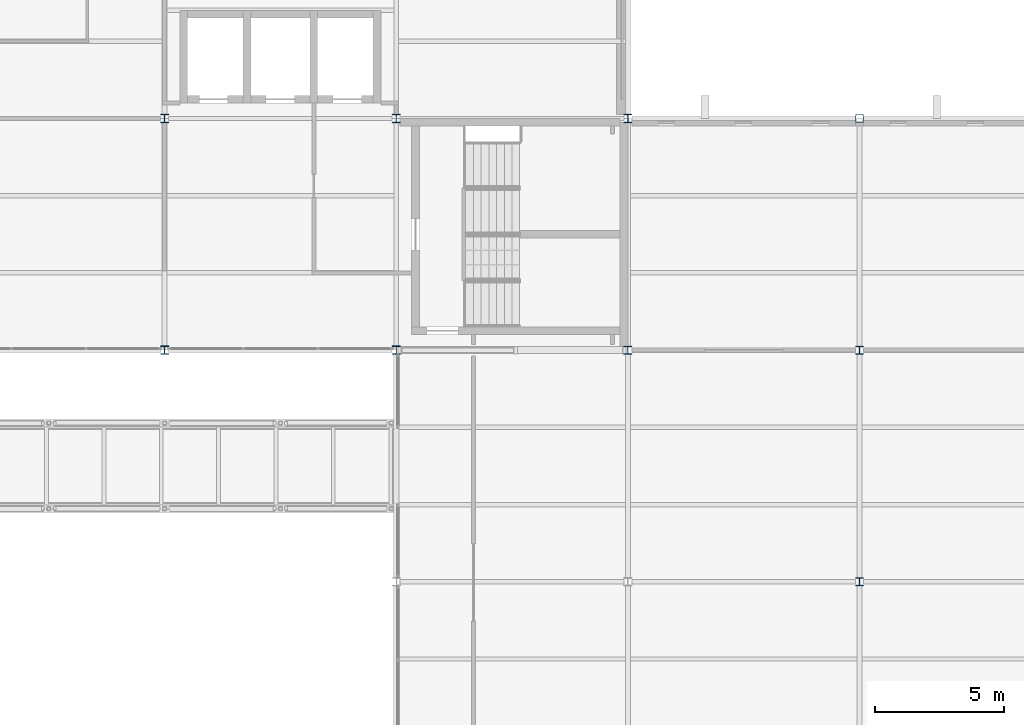
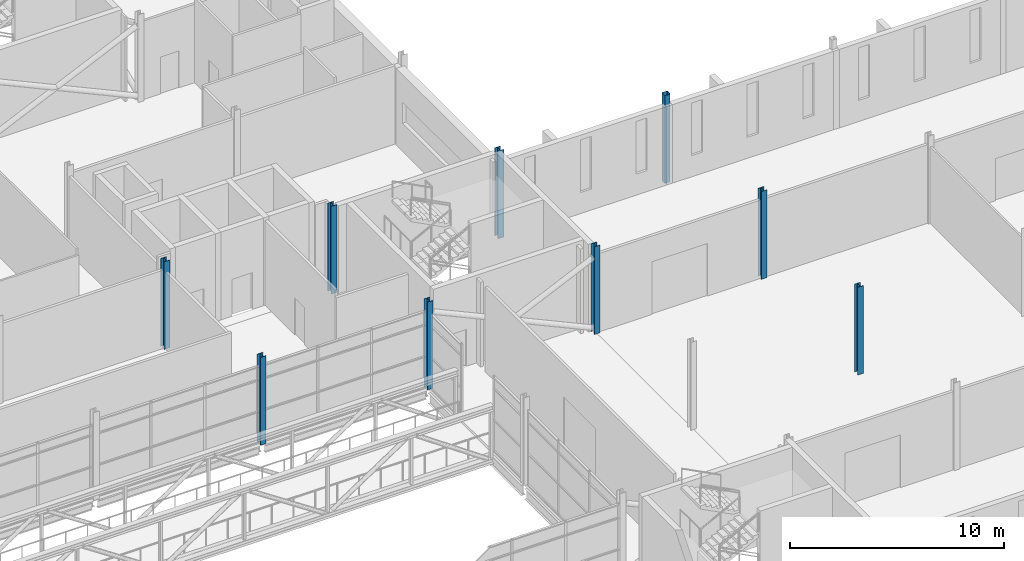
# One storey, part 12 of 115: 9 columns.
"""IFC4 building model written with IfcOpenShell, lengths in metres."""

from ifc_helpers import new_model, si_unit, direction, frame, origin, origin_2d, place, context, subcontext, project, spatial, hollow_rectangle, i_section, extrude, material, material_profile, profile_set, type_object, element, save


model = new_model("IFC4")

# Units and contexts
model_context = context("Model", 3, precision=1e-05, world=origin(), true_north=direction((0.0, 1.0)))
body_context = subcontext(model_context, "Body", "Model", "MODEL_VIEW")
ifc_project = project(units=[si_unit("LENGTHUNIT", "METRE"), si_unit("AREAUNIT", "SQUARE_METRE"), si_unit("VOLUMEUNIT", "CUBIC_METRE"), si_unit("PLANEANGLEUNIT", "RADIAN"), si_unit("MASSUNIT", "GRAM", prefix="KILO")], contexts=[model_context])

# Site, building, storey
site_placement = place(None, origin())
site = spatial("IfcSite", under=ifc_project, at=site_placement, CompositionType="ELEMENT")
building_placement = place(site_placement, origin())
building = spatial("IfcBuilding", under=site, at=building_placement, Name="Shorebreak Coast Museum", CompositionType="ELEMENT")
storey_placement = place(building_placement, frame((0.0, 0.0, 11.0)))
storey = spatial("IfcBuildingStorey", under=building, at=storey_placement, Name="L02", CompositionType="ELEMENT", Elevation=11.0)

# Columns
ifc_material_1 = material(Name="Steel Grade C450L0", Category="steel")
ifc_material_profile_1 = material_profile(ifc_material_1, hollow_rectangle(XDim=0.300048828125, YDim=0.300048828125, WallThickness=0.012451171875, InnerFilletRadius=0.018798828125, OuterFilletRadius=0.03125, at=origin_2d()), Name="300x300x12.5 SHS")
ifc_profile_set_1 = profile_set([ifc_material_profile_1], Name="Steel Grade C450L0")
column_type_1 = type_object("IfcColumnType", Name="Column 300x300x12.5 SHS", PredefinedType="COLUMN", material=ifc_profile_set_1)
column_placement = place(storey_placement, frame((126.0, 90.0, 0.0), z_axis=(0.0, 0.0, 1.0), x_axis=(1.0, 0.0, 0.0)))
element("IfcColumn", 1, at=column_placement, inside=storey, type_object=column_type_1, Name="Column L02 15L", PredefinedType="COLUMN", context=body_context, shape_type="SweptSolid", body=[
    extrude(hollow_rectangle(XDim=0.300048828125, YDim=0.300048828125, WallThickness=0.012451171875, InnerFilletRadius=0.018798828125, OuterFilletRadius=0.03125, at=origin_2d()), origin(), (0.0, 0.0, 1.0), 5.0),
])
ifc_material_2 = material(Name="Steel Grade 300", Category="steel")
ifc_material_profile_2 = material_profile(ifc_material_2, i_section(OverallWidth=0.306884765625, OverallDepth=0.314697265625, WebThickness=0.011962890625, FlangeThickness=0.018798828125, FilletRadius=0.0166015625, at=origin_2d()), Name="310UC118")
ifc_profile_set_2 = profile_set([ifc_material_profile_2], Name="Steel Grade 300")
column_type_2 = type_object("IfcColumnType", Name="Column 310UC118", PredefinedType="COLUMN", material=ifc_profile_set_2)
for number, where, z_axis, x_axis, name in (
    (2, (126.0, 72.0, 0.0), (0.0, 0.0, 1.0), (1.0, 0.0, 0.0), "Column L02 15J"),
    (3, (117.0, 81.0, 0.0), (0.0, 0.0, 1.0), (1.0, 0.0, 0.0), "Column L02 14K"),
    (4, (126.0, 81.0, 0.0), (0.0, 0.0, 1.0), (1.0, 0.0, 0.0), "Column L02 15K"),
):
    element("IfcColumn", number, at=place(storey_placement, frame(where, z_axis=z_axis, x_axis=x_axis)), inside=storey, type_object=column_type_2, Name=name, PredefinedType="COLUMN", context=body_context, shape_type="SweptSolid", body=[
        extrude(i_section(OverallWidth=0.306884765625, OverallDepth=0.314697265625, WebThickness=0.011962890625, FlangeThickness=0.018798828125, FilletRadius=0.0166015625, at=origin_2d()), origin(), (0.0, 0.0, 1.0), 5.0),
    ])
ifc_material_3 = material(Name="Steel Grade 300", Category="steel")
ifc_material_profile_3 = material_profile(ifc_material_3, i_section(OverallWidth=0.31103515625, OverallDepth=0.3271484375, WebThickness=0.015625, FlangeThickness=0.02490234375, FilletRadius=0.0166015625, at=origin_2d()), Name="310UC158")
ifc_profile_set_3 = profile_set([ifc_material_profile_3], Name="Steel Grade 300")
column_type_3 = type_object("IfcColumnType", Name="Column 310UC158", PredefinedType="COLUMN", material=ifc_profile_set_3)
for number, where, z_axis, x_axis, name in (
    (5, (99.0, 81.0, 0.0), (0.0, 0.0, 1.0), (1.0, 0.0, 0.0), "Column L02 12K"),
    (6, (108.0, 81.0, 0.0), (0.0, 0.0, 1.0), (1.0, 0.0, 0.0), "Column L02 13K"),
    (7, (99.0, 90.0, 0.0), (0.0, 0.0, 1.0), (1.0, 0.0, 0.0), "Column L02 12L"),
    (8, (108.0, 90.0, 0.0), (0.0, 0.0, 1.0), (1.0, 0.0, 0.0), "Column L02 13L"),
    (9, (117.0, 90.0, 0.0), (0.0, 0.0, 1.0), (1.0, 0.0, 0.0), "Column L02 14L"),
):
    element("IfcColumn", number, at=place(storey_placement, frame(where, z_axis=z_axis, x_axis=x_axis)), inside=storey, type_object=column_type_3, Name=name, PredefinedType="COLUMN", context=body_context, shape_type="SweptSolid", body=[
        extrude(i_section(OverallWidth=0.31103515625, OverallDepth=0.3271484375, WebThickness=0.015625, FlangeThickness=0.02490234375, FilletRadius=0.0166015625, at=origin_2d()), origin(), (0.0, 0.0, 1.0), 5.0),
    ])

save(model, "model.ifc")
